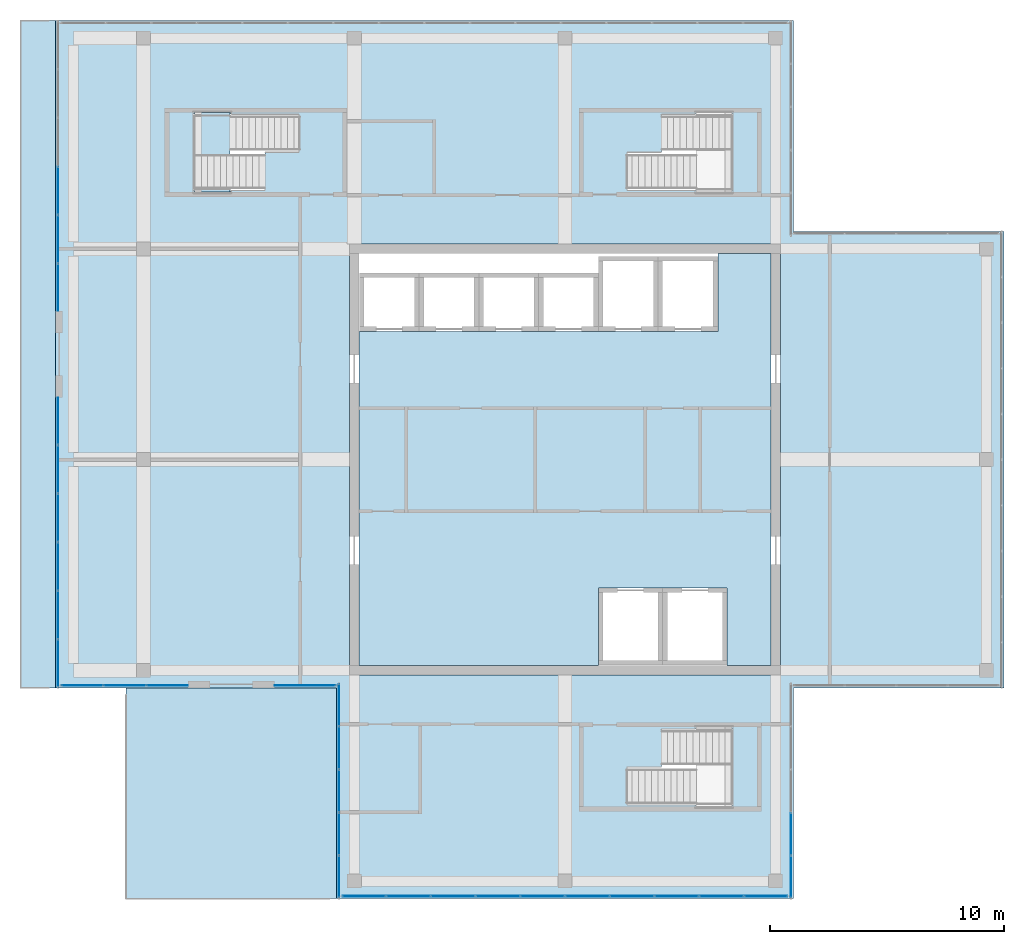
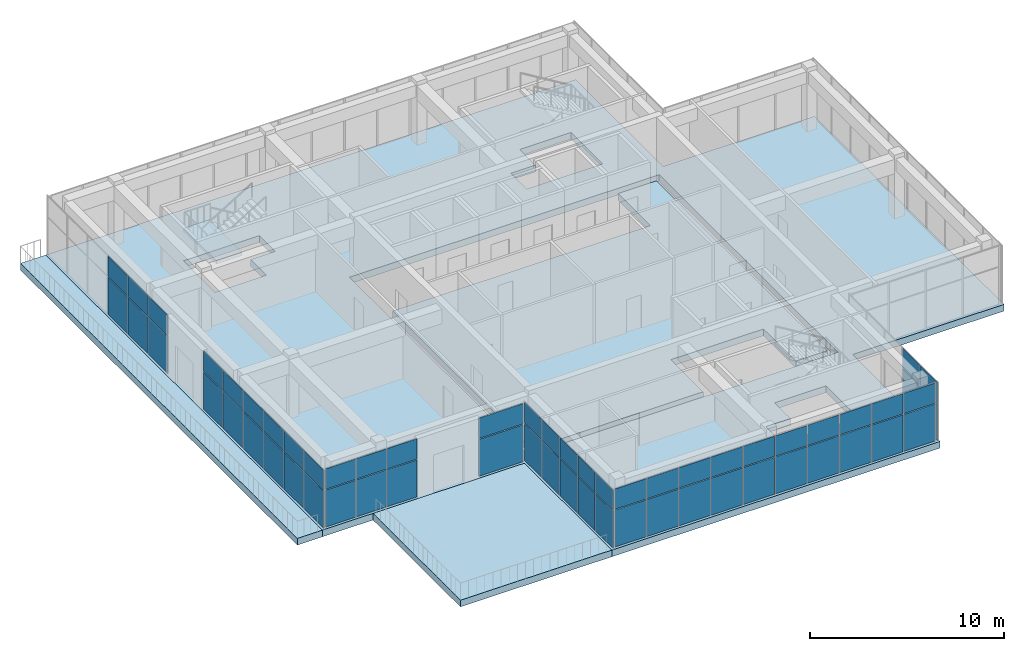
# One storey, part 26 of 32: 60 plates, 5 slabs, 8 elements without a shape of their own.
"""IFC4 building model written with IfcOpenShell, lengths in metres."""

import ifcopenshell
import ifcopenshell.guid

model = None  # the IFC model being written
_history = None  # IfcOwnerHistory: only IFC2X3 demands one
_inside = {}  # id of a spatial element -> (the spatial element, [elements in it])
_under = {}  # id of a project, library or spatial element -> (it, [spatial elements below it])
_declared = {}  # id of a project -> (the project, [libraries it declares])
_typed = {}  # id of a type object -> (the type object, [elements of that type])
_made_of = {}  # id of a material, layer set ... -> (it, [elements and type objects made of it])


def new_model(schema):
    """Start an empty IFC model of exactly this schema.

    Asked for "IFC4X3", IfcOpenShell would pick the latest addendum, in which some entities
    have other attributes; the version numbers below select the first issue.
    IFC2X3 requires an IfcOwnerHistory on every rooted entity: one is made here for all.
    """
    global model, _history
    if schema == "IFC4X3":
        model = ifcopenshell.file(schema_version=(4, 3, 0, 0))
    else:
        model = ifcopenshell.file(schema=schema)
    _inside.clear()
    _under.clear()
    _declared.clear()
    _typed.clear()
    _made_of.clear()
    _history = None
    if model.schema == "IFC2X3":
        org = make("IfcOrganization", Name="unknown")
        user = make(
            "IfcPersonAndOrganization",
            ThePerson=make("IfcPerson", FamilyName="unknown"),
            TheOrganization=org,
        )
        app = make(
            "IfcApplication",
            ApplicationDeveloper=org,
            Version="unknown",
            ApplicationFullName="unknown",
            ApplicationIdentifier="unknown",
        )
        _history = make(
            "IfcOwnerHistory",
            OwningUser=user,
            OwningApplication=app,
            ChangeAction="ADDED",
            CreationDate=0,
        )
    return model


def make(cls, **values):
    """One entity of the class cls with the attributes given. An attribute that is None is left unset."""
    return model.create_entity(
        cls, **{name: value for name, value in values.items() if value is not None}
    )


def rooted(cls, **values):
    """An entity with a GlobalId (a new one), such as an element, a storey or a relation."""
    return make(cls, GlobalId=ifcopenshell.guid.new(), OwnerHistory=_history, **values)


def si_unit(unit_type, name, prefix=None):
    """IfcSIUnit, for example si_unit("LENGTHUNIT", "METRE", prefix="MILLI")."""
    return make("IfcSIUnit", UnitType=unit_type, Prefix=prefix, Name=name)


def assignment(units):
    """IfcUnitAssignment: the units of a project."""
    return None if units is None else make("IfcUnitAssignment", Units=units)


def point(xyz):
    """IfcCartesianPoint."""
    return None if xyz is None else make("IfcCartesianPoint", Coordinates=xyz)


def direction(xyz):
    """IfcDirection."""
    return None if xyz is None else make("IfcDirection", DirectionRatios=xyz)


def frame(location, z_axis=None, x_axis=None):
    """IfcAxis2Placement3D, a coordinate frame: its origin and axes. An axis left out is left unset."""
    return make(
        "IfcAxis2Placement3D",
        Location=point(location),
        Axis=direction(z_axis),
        RefDirection=direction(x_axis),
    )


def frame_2d(location, x_axis=None):
    """IfcAxis2Placement2D, a coordinate frame in the plane: its origin and x axis."""
    return make(
        "IfcAxis2Placement2D", Location=point(location), RefDirection=direction(x_axis)
    )


def origin():
    """The frame at (0, 0, 0) with its axes left unset."""
    return frame((0.0, 0.0, 0.0))


def origin_2d():
    """The frame at (0, 0) in the plane with its x axis left unset."""
    return frame_2d((0.0, 0.0))


def place(relative_to, where):
    """IfcLocalPlacement: puts the frame where relative to a parent placement (None: the world)."""
    return make(
        "IfcLocalPlacement", PlacementRelTo=relative_to, RelativePlacement=where
    )


def context(
    kind, dimensions, precision=None, world=None, true_north=None, identifier=None
):
    """IfcGeometricRepresentationContext, for example the 3D "Model" context."""
    return make(
        "IfcGeometricRepresentationContext",
        ContextIdentifier=identifier,
        ContextType=kind,
        CoordinateSpaceDimension=dimensions,
        Precision=precision,
        WorldCoordinateSystem=world,
        TrueNorth=true_north,
    )


def subcontext(parent, identifier, kind, view, scale=None):
    """IfcGeometricRepresentationSubContext, for example "Body" below "Model"."""
    return make(
        "IfcGeometricRepresentationSubContext",
        ContextIdentifier=identifier,
        ContextType=kind,
        ParentContext=parent,
        TargetScale=scale,
        TargetView=view,
    )


def project(units=None, contexts=None):
    """IfcProject with its units and contexts."""
    return rooted(
        "IfcProject",
        Name="project",
        RepresentationContexts=contexts,
        UnitsInContext=assignment(units),
    )


def spatial(cls, under=None, at=None, **own):
    """A site, building, storey or space (cls), placed at a placement, below another one or the project."""
    s = rooted(cls, ObjectPlacement=at, **own)
    if under is not None:
        _under.setdefault(under.id(), (under, []))[1].append(s)
    return s


def polyline(points):
    """IfcPolyline through the points."""
    return make("IfcPolyline", Points=[point(p) for p in points])


def profile(cls, at=None, kind="AREA", **sizes):
    """A parametric profile (cls). Its sizes go by their IFC names, for example OverallWidth=200.0."""
    return make(cls, ProfileType=kind, Position=at, **sizes)


def rectangle(**sizes):
    """IfcRectangleProfileDef."""
    return profile("IfcRectangleProfileDef", **sizes)


def outline(outer, holes=None, kind="AREA"):
    """IfcArbitraryClosedProfileDef: a profile drawn as a closed curve; with holes, ...WithVoids."""
    if holes is None:
        return make("IfcArbitraryClosedProfileDef", ProfileType=kind, OuterCurve=outer)
    return make(
        "IfcArbitraryProfileDefWithVoids",
        ProfileType=kind,
        OuterCurve=outer,
        InnerCurves=holes,
    )


def extrude(swept, where, along, depth):
    """IfcExtrudedAreaSolid: the profile swept, set in the frame where, extruded along a direction by depth."""
    return make(
        "IfcExtrudedAreaSolid",
        SweptArea=swept,
        Position=where,
        ExtrudedDirection=direction(along),
        Depth=depth,
    )


def shape(context_of_items, identifier, shape_type, items):
    """IfcShapeRepresentation: the items that make up one representation, for example the "Body"."""
    return make(
        "IfcShapeRepresentation",
        ContextOfItems=context_of_items,
        RepresentationIdentifier=identifier,
        RepresentationType=shape_type,
        Items=items,
    )


def material(Name=None, Category=None):
    """IfcMaterial."""
    return make("IfcMaterial", Name=Name, Category=Category)


def layer(
    of_material, thickness, ventilated=None, Name=None, Category=None, Priority=None
):
    """IfcMaterialLayer: one layer of a wall or slab, of a material (None: an air gap)."""
    return make(
        "IfcMaterialLayer",
        Material=of_material,
        LayerThickness=thickness,
        IsVentilated=ventilated,
        Name=Name,
        Category=Category,
        Priority=Priority,
    )


def layer_set(layers, Name=None):
    """IfcMaterialLayerSet."""
    return make("IfcMaterialLayerSet", MaterialLayers=layers, LayerSetName=Name)


def made_of(thing, what):
    """Note that an element or type object is made of a material, layer set ...; save() writes the relation."""
    if what is not None:
        _made_of.setdefault(what.id(), (what, []))[1].append(thing)
    return thing


def type_object(cls, material=None, **own):
    """A type object (cls), such as IfcWallType, which elements share."""
    return made_of(rooted(cls, **own), material)


def element(
    cls,
    number,
    at=None,
    inside=None,
    cuts=None,
    type_object=None,
    material=None,
    context=None,
    identifier="Body",
    shape_type=None,
    held_by="IfcProductDefinitionShape",
    body=None,
    shapes=None,
    **own,
):
    """One element of the class cls, such as IfcWall. Its Tag is "e" and its number.

    at: its placement. inside: the storey or other place that contains it. cuts: it is an
    opening in that element (IfcRelVoidsElement). A single representation is given by context,
    identifier, shape_type and body (its items); several are given by shapes. held_by: the class
    of the entity that holds the representations. save() writes the other relations.
    """
    e = rooted(cls, Tag="e%d" % number, ObjectPlacement=at, **own)
    if body is not None:
        shapes = [shape(context, identifier, shape_type, body)]
    if shapes is not None:
        e.Representation = make(held_by, Representations=shapes)
    if inside is not None:
        _inside.setdefault(inside.id(), (inside, []))[1].append(e)
    if cuts is not None:
        rooted(
            "IfcRelVoidsElement", RelatingBuildingElement=cuts, RelatedOpeningElement=e
        )
    if type_object is not None:
        _typed.setdefault(type_object.id(), (type_object, []))[1].append(e)
    return made_of(e, material)


def aggregate(whole, parts):
    """IfcRelAggregates: a whole, such as a stair, and the parts it consists of."""
    return rooted("IfcRelAggregates", RelatingObject=whole, RelatedObjects=parts)


def save(model, path):
    """Write the relations noted so far, then the file.

    IfcRelAggregates (storeys below a building ...), IfcRelContainedInSpatialStructure (elements
    in a storey), IfcRelDefinesByType, IfcRelAssociatesMaterial and IfcRelDeclares: one each for
    every whole, place, type object, material and project.
    """
    for whole, parts in _under.values():
        aggregate(whole, parts)
    for where, things in _inside.values():
        rooted(
            "IfcRelContainedInSpatialStructure",
            RelatedElements=things,
            RelatingStructure=where,
        )
    for kind, things in _typed.values():
        rooted("IfcRelDefinesByType", RelatedObjects=things, RelatingType=kind)
    for what, things in _made_of.values():
        rooted("IfcRelAssociatesMaterial", RelatedObjects=things, RelatingMaterial=what)
    for by, libraries in _declared.values():
        rooted("IfcRelDeclares", RelatingContext=by, RelatedDefinitions=libraries)
    model.write(path)


model = new_model("IFC4")

# Units and contexts
model_context = context("Model", 3, precision=1e-05, world=origin(), true_north=direction((0.0, 1.0)))
body_context = subcontext(model_context, "Body", "Model", "MODEL_VIEW")
ifc_project = project(units=[si_unit("LENGTHUNIT", "METRE"), si_unit("AREAUNIT", "SQUARE_METRE"), si_unit("VOLUMEUNIT", "CUBIC_METRE"), si_unit("PLANEANGLEUNIT", "RADIAN"), si_unit("MASSUNIT", "GRAM", prefix="KILO")], contexts=[model_context])

# Site, building, storey
site_placement = place(None, origin())
site = spatial("IfcSite", under=ifc_project, at=site_placement, CompositionType="ELEMENT")
building_placement = place(site_placement, origin())
building = spatial("IfcBuilding", under=site, at=building_placement, Name="Tuart Plaza Theatre", CompositionType="ELEMENT")
storey_placement = place(building_placement, frame((0.0, 0.0, 41.5)))
storey = spatial("IfcBuildingStorey", under=building, at=storey_placement, Name="L10", CompositionType="ELEMENT", Elevation=41.5)

# Curtain wall, plates
ifc_material_1 = material(Name="Aluminium and glass", Category="aluminium")
ifc_layer_1 = layer(ifc_material_1, 0.10009765625)
ifc_layer_set_1 = layer_set([ifc_layer_1], Name="CURTAIN WALL 2000 module")
curtain_wall_type = type_object("IfcCurtainWallType", Name="CURTAIN WALL 2000 module", PredefinedType="NOTDEFINED", material=ifc_layer_set_1)
curtain_wall_1_placement = place(storey_placement, origin())
curtain_wall_1 = element("IfcCurtainWall", 1, at=curtain_wall_1_placement, inside=storey, type_object=curtain_wall_type, Name="CW100", PredefinedType="NOTDEFINED")
ifc_material_2 = material(Name="Glass", Category="glass")
ifc_layer_2 = layer(ifc_material_2, 0.028076171875)
ifc_layer_set_2 = layer_set([ifc_layer_2], Name="CURTAIN PANEL double glazed 28")
plate_type = type_object("IfcPlateType", Name="CURTAIN PANEL double glazed 28", PredefinedType="CURTAIN_PANEL", material=ifc_layer_set_2)
plate_1_placement = place(storey_placement, frame((141.64990234375, 56.1826171875, 0.0498046875), z_axis=(0.0, 0.0, 1.0), x_axis=(0.0, 1.0, 0.0)))
plate_1 = element("IfcPlate", 2, at=plate_1_placement, type_object=plate_type, Name="CW100 panel 1.1", PredefinedType="CURTAIN_PANEL", context=body_context, shape_type="SweptSolid", body=[
    extrude(rectangle(XDim=1.764892578125, YDim=0.028076171875, at=origin_2d()), origin(), (0.0, 0.0, 1.0), 2.324951171875),
])
plate_2_placement = place(storey_placement, frame((141.64990234375, 56.1826171875, 2.425048828125), z_axis=(0.0, 0.0, 1.0), x_axis=(0.0, 1.0, 0.0)))
plate_2 = element("IfcPlate", 3, at=plate_2_placement, type_object=plate_type, Name="CW100 panel 1.2", PredefinedType="CURTAIN_PANEL", context=body_context, shape_type="SweptSolid", body=[
    extrude(rectangle(XDim=1.764892578125, YDim=0.028076171875, at=origin_2d()), origin(), (0.0, 0.0, 1.0), 1.27490234375),
])
plate_3_placement = place(storey_placement, frame((141.64990234375, 58.010009765625, 0.0498046875), z_axis=(0.0, 0.0, 1.0), x_axis=(0.0, 1.0, 0.0)))
plate_3 = element("IfcPlate", 4, at=plate_3_placement, type_object=plate_type, Name="CW100 panel 2.1", PredefinedType="CURTAIN_PANEL", context=body_context, shape_type="SweptSolid", body=[
    extrude(rectangle(XDim=1.7900390625, YDim=0.028076171875, at=origin_2d()), origin(), (0.0, 0.0, 1.0), 2.324951171875),
])
plate_4_placement = place(storey_placement, frame((141.64990234375, 58.010009765625, 2.425048828125), z_axis=(0.0, 0.0, 1.0), x_axis=(0.0, 1.0, 0.0)))
plate_4 = element("IfcPlate", 5, at=plate_4_placement, type_object=plate_type, Name="CW100 panel 2.2", PredefinedType="CURTAIN_PANEL", context=body_context, shape_type="SweptSolid", body=[
    extrude(rectangle(XDim=1.7900390625, YDim=0.028076171875, at=origin_2d()), origin(), (0.0, 0.0, 1.0), 1.27490234375),
])
aggregate(curtain_wall_1, [plate_1, plate_2, plate_3, plate_4])

curtain_wall_2_placement = place(storey_placement, origin())
curtain_wall_2 = element("IfcCurtainWall", 6, at=curtain_wall_2_placement, inside=storey, type_object=curtain_wall_type, Name="CW106", PredefinedType="NOTDEFINED")
plate_5_placement = place(storey_placement, frame((110.35009765625, 85.487548828125, 0.0498046875), z_axis=(0.0, 0.0, 1.0), x_axis=(0.0, -1.0, 0.0)))
plate_5 = element("IfcPlate", 7, at=plate_5_placement, type_object=plate_type, Name="CW106 panel 4.1", PredefinedType="CURTAIN_PANEL", context=body_context, shape_type="SweptSolid", body=[
    extrude(rectangle(XDim=2.02490234375, YDim=0.028076171875, at=origin_2d()), origin(), (0.0, 0.0, 1.0), 2.324951171875),
])
plate_6_placement = place(storey_placement, frame((110.35009765625, 85.487548828125, 2.425048828125), z_axis=(0.0, 0.0, 1.0), x_axis=(0.0, -1.0, 0.0)))
plate_6 = element("IfcPlate", 8, at=plate_6_placement, type_object=plate_type, Name="CW106 panel 4.2", PredefinedType="CURTAIN_PANEL", context=body_context, shape_type="SweptSolid", body=[
    extrude(rectangle(XDim=2.02490234375, YDim=0.028076171875, at=origin_2d()), origin(), (0.0, 0.0, 1.0), 1.27490234375),
])
plate_7_placement = place(storey_placement, frame((110.35009765625, 83.41259765625, 0.0498046875), z_axis=(0.0, 0.0, 1.0), x_axis=(0.0, -1.0, 0.0)))
plate_7 = element("IfcPlate", 9, at=plate_7_placement, type_object=plate_type, Name="CW106 panel 5.1", PredefinedType="CURTAIN_PANEL", context=body_context, shape_type="SweptSolid", body=[
    extrude(rectangle(XDim=2.02490234375, YDim=0.028076171875, at=origin_2d()), origin(), (0.0, 0.0, 1.0), 2.324951171875),
])
plate_8_placement = place(storey_placement, frame((110.35009765625, 83.41259765625, 2.425048828125), z_axis=(0.0, 0.0, 1.0), x_axis=(0.0, -1.0, 0.0)))
plate_8 = element("IfcPlate", 10, at=plate_8_placement, type_object=plate_type, Name="CW106 panel 5.2", PredefinedType="CURTAIN_PANEL", context=body_context, shape_type="SweptSolid", body=[
    extrude(rectangle(XDim=2.02490234375, YDim=0.028076171875, at=origin_2d()), origin(), (0.0, 0.0, 1.0), 1.27490234375),
])
plate_9_placement = place(storey_placement, frame((110.35009765625, 81.35009765625, 0.0498046875), z_axis=(0.0, 0.0, 1.0), x_axis=(0.0, -1.0, 0.0)))
plate_9 = element("IfcPlate", 11, at=plate_9_placement, type_object=plate_type, Name="CW106 panel 6.1", PredefinedType="CURTAIN_PANEL", context=body_context, shape_type="SweptSolid", body=[
    extrude(rectangle(XDim=2.0, YDim=0.028076171875, at=origin_2d()), origin(), (0.0, 0.0, 1.0), 2.324951171875),
])
plate_10_placement = place(storey_placement, frame((110.35009765625, 81.35009765625, 2.425048828125), z_axis=(0.0, 0.0, 1.0), x_axis=(0.0, -1.0, 0.0)))
plate_10 = element("IfcPlate", 12, at=plate_10_placement, type_object=plate_type, Name="CW106 panel 6.2", PredefinedType="CURTAIN_PANEL", context=body_context, shape_type="SweptSolid", body=[
    extrude(rectangle(XDim=2.0, YDim=0.028076171875, at=origin_2d()), origin(), (0.0, 0.0, 1.0), 1.27490234375),
])
aggregate(curtain_wall_2, [plate_5, plate_6, plate_7, plate_8, plate_9, plate_10])

curtain_wall_3_placement = place(storey_placement, origin())
curtain_wall_3 = element("IfcCurtainWall", 13, at=curtain_wall_3_placement, inside=storey, type_object=curtain_wall_type, Name="CW107", PredefinedType="NOTDEFINED")
plate_11_placement = place(storey_placement, frame((110.35009765625, 75.64990234375, 0.0498046875), z_axis=(0.0, 0.0, 1.0), x_axis=(0.0, -1.0, 0.0)))
plate_11 = element("IfcPlate", 14, at=plate_11_placement, type_object=plate_type, Name="CW107 panel 1.1", PredefinedType="CURTAIN_PANEL", context=body_context, shape_type="SweptSolid", body=[
    extrude(rectangle(XDim=2.0, YDim=0.028076171875, at=origin_2d()), origin(), (0.0, 0.0, 1.0), 2.324951171875),
])
plate_12_placement = place(storey_placement, frame((110.35009765625, 75.64990234375, 2.425048828125), z_axis=(0.0, 0.0, 1.0), x_axis=(0.0, -1.0, 0.0)))
plate_12 = element("IfcPlate", 15, at=plate_12_placement, type_object=plate_type, Name="CW107 panel 1.2", PredefinedType="CURTAIN_PANEL", context=body_context, shape_type="SweptSolid", body=[
    extrude(rectangle(XDim=2.0, YDim=0.028076171875, at=origin_2d()), origin(), (0.0, 0.0, 1.0), 1.27490234375),
])
plate_13_placement = place(storey_placement, frame((110.35009765625, 73.58740234375, 0.0498046875), z_axis=(0.0, 0.0, 1.0), x_axis=(0.0, -1.0, 0.0)))
plate_13 = element("IfcPlate", 16, at=plate_13_placement, type_object=plate_type, Name="CW107 panel 2.1", PredefinedType="CURTAIN_PANEL", context=body_context, shape_type="SweptSolid", body=[
    extrude(rectangle(XDim=2.02490234375, YDim=0.028076171875, at=origin_2d()), origin(), (0.0, 0.0, 1.0), 2.324951171875),
])
plate_14_placement = place(storey_placement, frame((110.35009765625, 73.58740234375, 2.425048828125), z_axis=(0.0, 0.0, 1.0), x_axis=(0.0, -1.0, 0.0)))
plate_14 = element("IfcPlate", 17, at=plate_14_placement, type_object=plate_type, Name="CW107 panel 2.2", PredefinedType="CURTAIN_PANEL", context=body_context, shape_type="SweptSolid", body=[
    extrude(rectangle(XDim=2.02490234375, YDim=0.028076171875, at=origin_2d()), origin(), (0.0, 0.0, 1.0), 1.27490234375),
])
plate_15_placement = place(storey_placement, frame((110.35009765625, 71.512451171875, 0.0498046875), z_axis=(0.0, 0.0, 1.0), x_axis=(0.0, -1.0, 0.0)))
plate_15 = element("IfcPlate", 18, at=plate_15_placement, type_object=plate_type, Name="CW107 panel 3.1", PredefinedType="CURTAIN_PANEL", context=body_context, shape_type="SweptSolid", body=[
    extrude(rectangle(XDim=2.02490234375, YDim=0.028076171875, at=origin_2d()), origin(), (0.0, 0.0, 1.0), 2.324951171875),
])
plate_16_placement = place(storey_placement, frame((110.35009765625, 71.512451171875, 2.425048828125), z_axis=(0.0, 0.0, 1.0), x_axis=(0.0, -1.0, 0.0)))
plate_16 = element("IfcPlate", 19, at=plate_16_placement, type_object=plate_type, Name="CW107 panel 3.2", PredefinedType="CURTAIN_PANEL", context=body_context, shape_type="SweptSolid", body=[
    extrude(rectangle(XDim=2.02490234375, YDim=0.028076171875, at=origin_2d()), origin(), (0.0, 0.0, 1.0), 1.27490234375),
])
plate_17_placement = place(storey_placement, frame((110.35009765625, 69.4375, 0.0498046875), z_axis=(0.0, 0.0, 1.0), x_axis=(0.0, -1.0, 0.0)))
plate_17 = element("IfcPlate", 20, at=plate_17_placement, type_object=plate_type, Name="CW107 panel 4.1", PredefinedType="CURTAIN_PANEL", context=body_context, shape_type="SweptSolid", body=[
    extrude(rectangle(XDim=2.02490234375, YDim=0.028076171875, at=origin_2d()), origin(), (0.0, 0.0, 1.0), 2.324951171875),
])
plate_18_placement = place(storey_placement, frame((110.35009765625, 69.4375, 2.425048828125), z_axis=(0.0, 0.0, 1.0), x_axis=(0.0, -1.0, 0.0)))
plate_18 = element("IfcPlate", 21, at=plate_18_placement, type_object=plate_type, Name="CW107 panel 4.2", PredefinedType="CURTAIN_PANEL", context=body_context, shape_type="SweptSolid", body=[
    extrude(rectangle(XDim=2.02490234375, YDim=0.028076171875, at=origin_2d()), origin(), (0.0, 0.0, 1.0), 1.27490234375),
])
plate_19_placement = place(storey_placement, frame((110.35009765625, 67.362548828125, 0.0498046875), z_axis=(0.0, 0.0, 1.0), x_axis=(0.0, -1.0, 0.0)))
plate_19 = element("IfcPlate", 22, at=plate_19_placement, type_object=plate_type, Name="CW107 panel 5.1", PredefinedType="CURTAIN_PANEL", context=body_context, shape_type="SweptSolid", body=[
    extrude(rectangle(XDim=2.02490234375, YDim=0.028076171875, at=origin_2d()), origin(), (0.0, 0.0, 1.0), 2.324951171875),
])
plate_20_placement = place(storey_placement, frame((110.35009765625, 67.362548828125, 2.425048828125), z_axis=(0.0, 0.0, 1.0), x_axis=(0.0, -1.0, 0.0)))
plate_20 = element("IfcPlate", 23, at=plate_20_placement, type_object=plate_type, Name="CW107 panel 5.2", PredefinedType="CURTAIN_PANEL", context=body_context, shape_type="SweptSolid", body=[
    extrude(rectangle(XDim=2.02490234375, YDim=0.028076171875, at=origin_2d()), origin(), (0.0, 0.0, 1.0), 1.27490234375),
])
plate_21_placement = place(storey_placement, frame((110.35009765625, 65.300048828125, 0.0498046875), z_axis=(0.0, 0.0, 1.0), x_axis=(0.0, -1.0, 0.0)))
plate_21 = element("IfcPlate", 24, at=plate_21_placement, type_object=plate_type, Name="CW107 panel 6.1", PredefinedType="CURTAIN_PANEL", context=body_context, shape_type="SweptSolid", body=[
    extrude(rectangle(XDim=2.0, YDim=0.028076171875, at=origin_2d()), origin(), (0.0, 0.0, 1.0), 2.324951171875),
])
plate_22_placement = place(storey_placement, frame((110.35009765625, 65.300048828125, 2.425048828125), z_axis=(0.0, 0.0, 1.0), x_axis=(0.0, -1.0, 0.0)))
plate_22 = element("IfcPlate", 25, at=plate_22_placement, type_object=plate_type, Name="CW107 panel 6.2", PredefinedType="CURTAIN_PANEL", context=body_context, shape_type="SweptSolid", body=[
    extrude(rectangle(XDim=2.0, YDim=0.028076171875, at=origin_2d()), origin(), (0.0, 0.0, 1.0), 1.27490234375),
])
aggregate(curtain_wall_3, [plate_11, plate_12, plate_13, plate_14, plate_15, plate_16, plate_17, plate_18, plate_19, plate_20, plate_21, plate_22])

curtain_wall_4_placement = place(storey_placement, origin())
curtain_wall_4 = element("IfcCurtainWall", 26, at=curtain_wall_4_placement, inside=storey, type_object=curtain_wall_type, Name="CW108", PredefinedType="NOTDEFINED")
plate_23_placement = place(storey_placement, frame((111.379150390625, 64.35009765625, 0.0498046875), z_axis=(0.0, 0.0, 1.0), x_axis=(1.0, 0.0, 0.0)))
plate_23 = element("IfcPlate", 27, at=plate_23_placement, type_object=plate_type, Name="CW108 panel 1.1", PredefinedType="CURTAIN_PANEL", context=body_context, shape_type="SweptSolid", body=[
    extrude(rectangle(XDim=1.75830078125, YDim=0.028076171875, at=origin_2d()), origin(), (0.0, 0.0, 1.0), 2.324951171875),
])
plate_24_placement = place(storey_placement, frame((111.379150390625, 64.35009765625, 2.425048828125), z_axis=(0.0, 0.0, 1.0), x_axis=(1.0, 0.0, 0.0)))
plate_24 = element("IfcPlate", 28, at=plate_24_placement, type_object=plate_type, Name="CW108 panel 1.2", PredefinedType="CURTAIN_PANEL", context=body_context, shape_type="SweptSolid", body=[
    extrude(rectangle(XDim=1.75830078125, YDim=0.028076171875, at=origin_2d()), origin(), (0.0, 0.0, 1.0), 1.27490234375),
])
plate_25_placement = place(storey_placement, frame((113.199951171875, 64.35009765625, 0.0498046875), z_axis=(0.0, 0.0, 1.0), x_axis=(1.0, 0.0, 0.0)))
plate_25 = element("IfcPlate", 29, at=plate_25_placement, type_object=plate_type, Name="CW108 panel 2.1", PredefinedType="CURTAIN_PANEL", context=body_context, shape_type="SweptSolid", body=[
    extrude(rectangle(XDim=1.783447265625, YDim=0.028076171875, at=origin_2d()), origin(), (0.0, 0.0, 1.0), 2.324951171875),
])
plate_26_placement = place(storey_placement, frame((113.199951171875, 64.35009765625, 2.425048828125), z_axis=(0.0, 0.0, 1.0), x_axis=(1.0, 0.0, 0.0)))
plate_26 = element("IfcPlate", 30, at=plate_26_placement, type_object=plate_type, Name="CW108 panel 2.2", PredefinedType="CURTAIN_PANEL", context=body_context, shape_type="SweptSolid", body=[
    extrude(rectangle(XDim=1.783447265625, YDim=0.028076171875, at=origin_2d()), origin(), (0.0, 0.0, 1.0), 1.27490234375),
])
plate_27_placement = place(storey_placement, frame((115.020751953125, 64.35009765625, 0.0498046875), z_axis=(0.0, 0.0, 1.0), x_axis=(1.0, 0.0, 0.0)))
plate_27 = element("IfcPlate", 31, at=plate_27_placement, type_object=plate_type, Name="CW108 panel 3.1", PredefinedType="CURTAIN_PANEL", context=body_context, shape_type="SweptSolid", body=[
    extrude(rectangle(XDim=1.75830078125, YDim=0.028076171875, at=origin_2d()), origin(), (0.0, 0.0, 1.0), 2.324951171875),
])
plate_28_placement = place(storey_placement, frame((115.020751953125, 64.35009765625, 2.425048828125), z_axis=(0.0, 0.0, 1.0), x_axis=(1.0, 0.0, 0.0)))
plate_28 = element("IfcPlate", 32, at=plate_28_placement, type_object=plate_type, Name="CW108 panel 3.2", PredefinedType="CURTAIN_PANEL", context=body_context, shape_type="SweptSolid", body=[
    extrude(rectangle(XDim=1.75830078125, YDim=0.028076171875, at=origin_2d()), origin(), (0.0, 0.0, 1.0), 1.27490234375),
])
aggregate(curtain_wall_4, [plate_23, plate_24, plate_25, plate_26, plate_27, plate_28])

curtain_wall_5_placement = place(storey_placement, origin())
curtain_wall_5 = element("IfcCurtainWall", 33, at=curtain_wall_5_placement, inside=storey, type_object=curtain_wall_type, Name="CW109", PredefinedType="NOTDEFINED")
plate_29_placement = place(storey_placement, frame((120.89990234375, 64.35009765625, 0.0498046875), z_axis=(0.0, 0.0, 1.0), x_axis=(1.0, 0.0, 0.0)))
plate_29 = element("IfcPlate", 34, at=plate_29_placement, type_object=plate_type, Name="CW109 panel 1.1", PredefinedType="CURTAIN_PANEL", context=body_context, shape_type="SweptSolid", body=[
    extrude(rectangle(XDim=2.60009765625, YDim=0.028076171875, at=origin_2d()), origin(), (0.0, 0.0, 1.0), 2.324951171875),
])
plate_30_placement = place(storey_placement, frame((120.89990234375, 64.35009765625, 2.425048828125), z_axis=(0.0, 0.0, 1.0), x_axis=(1.0, 0.0, 0.0)))
plate_30 = element("IfcPlate", 35, at=plate_30_placement, type_object=plate_type, Name="CW109 panel 1.2", PredefinedType="CURTAIN_PANEL", context=body_context, shape_type="SweptSolid", body=[
    extrude(rectangle(XDim=2.60009765625, YDim=0.028076171875, at=origin_2d()), origin(), (0.0, 0.0, 1.0), 1.27490234375),
])
aggregate(curtain_wall_5, [plate_29, plate_30])

curtain_wall_6_placement = place(storey_placement, origin())
curtain_wall_6 = element("IfcCurtainWall", 36, at=curtain_wall_6_placement, inside=storey, type_object=curtain_wall_type, Name="CW110", PredefinedType="NOTDEFINED")
plate_31_placement = place(storey_placement, frame((122.35009765625, 63.517578125, 0.0498046875), z_axis=(0.0, 0.0, 1.0), x_axis=(0.0, -1.0, 0.0)))
plate_31 = element("IfcPlate", 37, at=plate_31_placement, type_object=plate_type, Name="CW110 panel 1.1", PredefinedType="CURTAIN_PANEL", context=body_context, shape_type="SweptSolid", body=[
    extrude(rectangle(XDim=1.764892578125, YDim=0.028076171875, at=origin_2d()), origin(), (0.0, 0.0, 1.0), 2.324951171875),
])
plate_32_placement = place(storey_placement, frame((122.35009765625, 63.517578125, 2.425048828125), z_axis=(0.0, 0.0, 1.0), x_axis=(0.0, -1.0, 0.0)))
plate_32 = element("IfcPlate", 38, at=plate_32_placement, type_object=plate_type, Name="CW110 panel 1.2", PredefinedType="CURTAIN_PANEL", context=body_context, shape_type="SweptSolid", body=[
    extrude(rectangle(XDim=1.764892578125, YDim=0.028076171875, at=origin_2d()), origin(), (0.0, 0.0, 1.0), 1.27490234375),
])
plate_33_placement = place(storey_placement, frame((122.35009765625, 61.68994140625, 0.0498046875), z_axis=(0.0, 0.0, 1.0), x_axis=(0.0, -1.0, 0.0)))
plate_33 = element("IfcPlate", 39, at=plate_33_placement, type_object=plate_type, Name="CW110 panel 2.1", PredefinedType="CURTAIN_PANEL", context=body_context, shape_type="SweptSolid", body=[
    extrude(rectangle(XDim=1.7900390625, YDim=0.028076171875, at=origin_2d()), origin(), (0.0, 0.0, 1.0), 2.324951171875),
])
plate_34_placement = place(storey_placement, frame((122.35009765625, 61.68994140625, 2.425048828125), z_axis=(0.0, 0.0, 1.0), x_axis=(0.0, -1.0, 0.0)))
plate_34 = element("IfcPlate", 40, at=plate_34_placement, type_object=plate_type, Name="CW110 panel 2.2", PredefinedType="CURTAIN_PANEL", context=body_context, shape_type="SweptSolid", body=[
    extrude(rectangle(XDim=1.7900390625, YDim=0.028076171875, at=origin_2d()), origin(), (0.0, 0.0, 1.0), 1.27490234375),
])
plate_35_placement = place(storey_placement, frame((122.35009765625, 59.85009765625, 0.0498046875), z_axis=(0.0, 0.0, 1.0), x_axis=(0.0, -1.0, 0.0)))
plate_35 = element("IfcPlate", 41, at=plate_35_placement, type_object=plate_type, Name="CW110 panel 3.1", PredefinedType="CURTAIN_PANEL", context=body_context, shape_type="SweptSolid", body=[
    extrude(rectangle(XDim=1.7900390625, YDim=0.028076171875, at=origin_2d()), origin(), (0.0, 0.0, 1.0), 2.324951171875),
])
plate_36_placement = place(storey_placement, frame((122.35009765625, 59.85009765625, 2.425048828125), z_axis=(0.0, 0.0, 1.0), x_axis=(0.0, -1.0, 0.0)))
plate_36 = element("IfcPlate", 42, at=plate_36_placement, type_object=plate_type, Name="CW110 panel 3.2", PredefinedType="CURTAIN_PANEL", context=body_context, shape_type="SweptSolid", body=[
    extrude(rectangle(XDim=1.7900390625, YDim=0.028076171875, at=origin_2d()), origin(), (0.0, 0.0, 1.0), 1.27490234375),
])
plate_37_placement = place(storey_placement, frame((122.35009765625, 58.010009765625, 0.0498046875), z_axis=(0.0, 0.0, 1.0), x_axis=(0.0, -1.0, 0.0)))
plate_37 = element("IfcPlate", 43, at=plate_37_placement, type_object=plate_type, Name="CW110 panel 4.1", PredefinedType="CURTAIN_PANEL", context=body_context, shape_type="SweptSolid", body=[
    extrude(rectangle(XDim=1.7900390625, YDim=0.028076171875, at=origin_2d()), origin(), (0.0, 0.0, 1.0), 2.324951171875),
])
plate_38_placement = place(storey_placement, frame((122.35009765625, 58.010009765625, 2.425048828125), z_axis=(0.0, 0.0, 1.0), x_axis=(0.0, -1.0, 0.0)))
plate_38 = element("IfcPlate", 44, at=plate_38_placement, type_object=plate_type, Name="CW110 panel 4.2", PredefinedType="CURTAIN_PANEL", context=body_context, shape_type="SweptSolid", body=[
    extrude(rectangle(XDim=1.7900390625, YDim=0.028076171875, at=origin_2d()), origin(), (0.0, 0.0, 1.0), 1.27490234375),
])
plate_39_placement = place(storey_placement, frame((122.35009765625, 56.1826171875, 0.0498046875), z_axis=(0.0, 0.0, 1.0), x_axis=(0.0, -1.0, 0.0)))
plate_39 = element("IfcPlate", 45, at=plate_39_placement, type_object=plate_type, Name="CW110 panel 5.1", PredefinedType="CURTAIN_PANEL", context=body_context, shape_type="SweptSolid", body=[
    extrude(rectangle(XDim=1.764892578125, YDim=0.028076171875, at=origin_2d()), origin(), (0.0, 0.0, 1.0), 2.324951171875),
])
plate_40_placement = place(storey_placement, frame((122.35009765625, 56.1826171875, 2.425048828125), z_axis=(0.0, 0.0, 1.0), x_axis=(0.0, -1.0, 0.0)))
plate_40 = element("IfcPlate", 46, at=plate_40_placement, type_object=plate_type, Name="CW110 panel 5.2", PredefinedType="CURTAIN_PANEL", context=body_context, shape_type="SweptSolid", body=[
    extrude(rectangle(XDim=1.764892578125, YDim=0.028076171875, at=origin_2d()), origin(), (0.0, 0.0, 1.0), 1.27490234375),
])
aggregate(curtain_wall_6, [plate_31, plate_32, plate_33, plate_34, plate_35, plate_36, plate_37, plate_38, plate_39, plate_40])

curtain_wall_7_placement = place(storey_placement, origin())
curtain_wall_7 = element("IfcCurtainWall", 47, at=curtain_wall_7_placement, inside=storey, type_object=curtain_wall_type, Name="CW111", PredefinedType="NOTDEFINED")
plate_41_placement = place(storey_placement, frame((123.41748046875, 55.35009765625, 0.0498046875), z_axis=(0.0, 0.0, 1.0), x_axis=(1.0, 0.0, 0.0)))
plate_41 = element("IfcPlate", 48, at=plate_41_placement, type_object=plate_type, Name="CW111 panel 1.1", PredefinedType="CURTAIN_PANEL", context=body_context, shape_type="SweptSolid", body=[
    extrude(rectangle(XDim=1.8349609375, YDim=0.028076171875, at=origin_2d()), origin(), (0.0, 0.0, 1.0), 2.324951171875),
])
plate_42_placement = place(storey_placement, frame((123.41748046875, 55.35009765625, 2.425048828125), z_axis=(0.0, 0.0, 1.0), x_axis=(1.0, 0.0, 0.0)))
plate_42 = element("IfcPlate", 49, at=plate_42_placement, type_object=plate_type, Name="CW111 panel 1.2", PredefinedType="CURTAIN_PANEL", context=body_context, shape_type="SweptSolid", body=[
    extrude(rectangle(XDim=1.8349609375, YDim=0.028076171875, at=origin_2d()), origin(), (0.0, 0.0, 1.0), 1.27490234375),
])
plate_43_placement = place(storey_placement, frame((125.31494140625, 55.35009765625, 0.0498046875), z_axis=(0.0, 0.0, 1.0), x_axis=(1.0, 0.0, 0.0)))
plate_43 = element("IfcPlate", 50, at=plate_43_placement, type_object=plate_type, Name="CW111 panel 2.1", PredefinedType="CURTAIN_PANEL", context=body_context, shape_type="SweptSolid", body=[
    extrude(rectangle(XDim=1.860107421875, YDim=0.028076171875, at=origin_2d()), origin(), (0.0, 0.0, 1.0), 2.324951171875),
])
plate_44_placement = place(storey_placement, frame((125.31494140625, 55.35009765625, 2.425048828125), z_axis=(0.0, 0.0, 1.0), x_axis=(1.0, 0.0, 0.0)))
plate_44 = element("IfcPlate", 51, at=plate_44_placement, type_object=plate_type, Name="CW111 panel 2.2", PredefinedType="CURTAIN_PANEL", context=body_context, shape_type="SweptSolid", body=[
    extrude(rectangle(XDim=1.860107421875, YDim=0.028076171875, at=origin_2d()), origin(), (0.0, 0.0, 1.0), 1.27490234375),
])
plate_45_placement = place(storey_placement, frame((127.22509765625, 55.35009765625, 0.0498046875), z_axis=(0.0, 0.0, 1.0), x_axis=(1.0, 0.0, 0.0)))
plate_45 = element("IfcPlate", 52, at=plate_45_placement, type_object=plate_type, Name="CW111 panel 3.1", PredefinedType="CURTAIN_PANEL", context=body_context, shape_type="SweptSolid", body=[
    extrude(rectangle(XDim=1.860107421875, YDim=0.028076171875, at=origin_2d()), origin(), (0.0, 0.0, 1.0), 2.324951171875),
])
plate_46_placement = place(storey_placement, frame((127.22509765625, 55.35009765625, 2.425048828125), z_axis=(0.0, 0.0, 1.0), x_axis=(1.0, 0.0, 0.0)))
plate_46 = element("IfcPlate", 53, at=plate_46_placement, type_object=plate_type, Name="CW111 panel 3.2", PredefinedType="CURTAIN_PANEL", context=body_context, shape_type="SweptSolid", body=[
    extrude(rectangle(XDim=1.860107421875, YDim=0.028076171875, at=origin_2d()), origin(), (0.0, 0.0, 1.0), 1.27490234375),
])
plate_47_placement = place(storey_placement, frame((129.135009765625, 55.35009765625, 0.0498046875), z_axis=(0.0, 0.0, 1.0), x_axis=(1.0, 0.0, 0.0)))
plate_47 = element("IfcPlate", 54, at=plate_47_placement, type_object=plate_type, Name="CW111 panel 4.1", PredefinedType="CURTAIN_PANEL", context=body_context, shape_type="SweptSolid", body=[
    extrude(rectangle(XDim=1.860107421875, YDim=0.028076171875, at=origin_2d()), origin(), (0.0, 0.0, 1.0), 2.324951171875),
])
plate_48_placement = place(storey_placement, frame((129.135009765625, 55.35009765625, 2.425048828125), z_axis=(0.0, 0.0, 1.0), x_axis=(1.0, 0.0, 0.0)))
plate_48 = element("IfcPlate", 55, at=plate_48_placement, type_object=plate_type, Name="CW111 panel 4.2", PredefinedType="CURTAIN_PANEL", context=body_context, shape_type="SweptSolid", body=[
    extrude(rectangle(XDim=1.860107421875, YDim=0.028076171875, at=origin_2d()), origin(), (0.0, 0.0, 1.0), 1.27490234375),
])
plate_49_placement = place(storey_placement, frame((131.044921875, 55.35009765625, 0.0498046875), z_axis=(0.0, 0.0, 1.0), x_axis=(1.0, 0.0, 0.0)))
plate_49 = element("IfcPlate", 56, at=plate_49_placement, type_object=plate_type, Name="CW111 panel 5.1", PredefinedType="CURTAIN_PANEL", context=body_context, shape_type="SweptSolid", body=[
    extrude(rectangle(XDim=1.860107421875, YDim=0.028076171875, at=origin_2d()), origin(), (0.0, 0.0, 1.0), 2.324951171875),
])
plate_50_placement = place(storey_placement, frame((131.044921875, 55.35009765625, 2.425048828125), z_axis=(0.0, 0.0, 1.0), x_axis=(1.0, 0.0, 0.0)))
plate_50 = element("IfcPlate", 57, at=plate_50_placement, type_object=plate_type, Name="CW111 panel 5.2", PredefinedType="CURTAIN_PANEL", context=body_context, shape_type="SweptSolid", body=[
    extrude(rectangle(XDim=1.860107421875, YDim=0.028076171875, at=origin_2d()), origin(), (0.0, 0.0, 1.0), 1.27490234375),
])
plate_51_placement = place(storey_placement, frame((132.955078125, 55.35009765625, 0.0498046875), z_axis=(0.0, 0.0, 1.0), x_axis=(1.0, 0.0, 0.0)))
plate_51 = element("IfcPlate", 58, at=plate_51_placement, type_object=plate_type, Name="CW111 panel 6.1", PredefinedType="CURTAIN_PANEL", context=body_context, shape_type="SweptSolid", body=[
    extrude(rectangle(XDim=1.860107421875, YDim=0.028076171875, at=origin_2d()), origin(), (0.0, 0.0, 1.0), 2.324951171875),
])
plate_52_placement = place(storey_placement, frame((132.955078125, 55.35009765625, 2.425048828125), z_axis=(0.0, 0.0, 1.0), x_axis=(1.0, 0.0, 0.0)))
plate_52 = element("IfcPlate", 59, at=plate_52_placement, type_object=plate_type, Name="CW111 panel 6.2", PredefinedType="CURTAIN_PANEL", context=body_context, shape_type="SweptSolid", body=[
    extrude(rectangle(XDim=1.860107421875, YDim=0.028076171875, at=origin_2d()), origin(), (0.0, 0.0, 1.0), 1.27490234375),
])
plate_53_placement = place(storey_placement, frame((134.864990234375, 55.35009765625, 0.0498046875), z_axis=(0.0, 0.0, 1.0), x_axis=(1.0, 0.0, 0.0)))
plate_53 = element("IfcPlate", 60, at=plate_53_placement, type_object=plate_type, Name="CW111 panel 7.1", PredefinedType="CURTAIN_PANEL", context=body_context, shape_type="SweptSolid", body=[
    extrude(rectangle(XDim=1.860107421875, YDim=0.028076171875, at=origin_2d()), origin(), (0.0, 0.0, 1.0), 2.324951171875),
])
plate_54_placement = place(storey_placement, frame((134.864990234375, 55.35009765625, 2.425048828125), z_axis=(0.0, 0.0, 1.0), x_axis=(1.0, 0.0, 0.0)))
plate_54 = element("IfcPlate", 61, at=plate_54_placement, type_object=plate_type, Name="CW111 panel 7.2", PredefinedType="CURTAIN_PANEL", context=body_context, shape_type="SweptSolid", body=[
    extrude(rectangle(XDim=1.860107421875, YDim=0.028076171875, at=origin_2d()), origin(), (0.0, 0.0, 1.0), 1.27490234375),
])
plate_55_placement = place(storey_placement, frame((136.77490234375, 55.35009765625, 0.0498046875), z_axis=(0.0, 0.0, 1.0), x_axis=(1.0, 0.0, 0.0)))
plate_55 = element("IfcPlate", 62, at=plate_55_placement, type_object=plate_type, Name="CW111 panel 8.1", PredefinedType="CURTAIN_PANEL", context=body_context, shape_type="SweptSolid", body=[
    extrude(rectangle(XDim=1.860107421875, YDim=0.028076171875, at=origin_2d()), origin(), (0.0, 0.0, 1.0), 2.324951171875),
])
plate_56_placement = place(storey_placement, frame((136.77490234375, 55.35009765625, 2.425048828125), z_axis=(0.0, 0.0, 1.0), x_axis=(1.0, 0.0, 0.0)))
plate_56 = element("IfcPlate", 63, at=plate_56_placement, type_object=plate_type, Name="CW111 panel 8.2", PredefinedType="CURTAIN_PANEL", context=body_context, shape_type="SweptSolid", body=[
    extrude(rectangle(XDim=1.860107421875, YDim=0.028076171875, at=origin_2d()), origin(), (0.0, 0.0, 1.0), 1.27490234375),
])
plate_57_placement = place(storey_placement, frame((138.68505859375, 55.35009765625, 0.0498046875), z_axis=(0.0, 0.0, 1.0), x_axis=(1.0, 0.0, 0.0)))
plate_57 = element("IfcPlate", 64, at=plate_57_placement, type_object=plate_type, Name="CW111 panel 9.1", PredefinedType="CURTAIN_PANEL", context=body_context, shape_type="SweptSolid", body=[
    extrude(rectangle(XDim=1.860107421875, YDim=0.028076171875, at=origin_2d()), origin(), (0.0, 0.0, 1.0), 2.324951171875),
])
plate_58_placement = place(storey_placement, frame((138.68505859375, 55.35009765625, 2.425048828125), z_axis=(0.0, 0.0, 1.0), x_axis=(1.0, 0.0, 0.0)))
plate_58 = element("IfcPlate", 65, at=plate_58_placement, type_object=plate_type, Name="CW111 panel 9.2", PredefinedType="CURTAIN_PANEL", context=body_context, shape_type="SweptSolid", body=[
    extrude(rectangle(XDim=1.860107421875, YDim=0.028076171875, at=origin_2d()), origin(), (0.0, 0.0, 1.0), 1.27490234375),
])
plate_59_placement = place(storey_placement, frame((140.58251953125, 55.35009765625, 0.0498046875), z_axis=(0.0, 0.0, 1.0), x_axis=(1.0, 0.0, 0.0)))
plate_59 = element("IfcPlate", 66, at=plate_59_placement, type_object=plate_type, Name="CW111 panel 10.1", PredefinedType="CURTAIN_PANEL", context=body_context, shape_type="SweptSolid", body=[
    extrude(rectangle(XDim=1.8349609375, YDim=0.028076171875, at=origin_2d()), origin(), (0.0, 0.0, 1.0), 2.324951171875),
])
plate_60_placement = place(storey_placement, frame((140.58251953125, 55.35009765625, 2.425048828125), z_axis=(0.0, 0.0, 1.0), x_axis=(1.0, 0.0, 0.0)))
plate_60 = element("IfcPlate", 67, at=plate_60_placement, type_object=plate_type, Name="CW111 panel 10.2", PredefinedType="CURTAIN_PANEL", context=body_context, shape_type="SweptSolid", body=[
    extrude(rectangle(XDim=1.8349609375, YDim=0.028076171875, at=origin_2d()), origin(), (0.0, 0.0, 1.0), 1.27490234375),
])
aggregate(curtain_wall_7, [plate_41, plate_42, plate_43, plate_44, plate_45, plate_46, plate_47, plate_48, plate_49, plate_50, plate_51, plate_52, plate_53, plate_54, plate_55, plate_56, plate_57, plate_58, plate_59, plate_60])

# Slabs
ifc_material_3 = material(Name="Concrete N40 (40 MPa)", Category="concrete")
ifc_layer_3 = layer(ifc_material_3, 0.419921875)
ifc_layer_set_3 = layer_set([ifc_layer_3], Name="SLAB Floor 420 Concrete N40 (40 MPa)")
slab_type_1 = type_object("IfcSlabType", Name="SLAB Floor 420 Concrete N40 (40 MPa)", PredefinedType="FLOOR", material=ifc_layer_set_3)
slab_1_placement = place(storey_placement, frame((0.0, 0.0, -0.419921875)))
element("IfcSlab", 68, at=slab_1_placement, inside=storey, type_object=slab_type_1, Name="S96", PredefinedType="FLOOR", context=body_context, shape_type="SweptSolid", body=[
    extrude(outline(polyline([(141.75, 92.75), (110.25, 92.75), (110.25, 64.25), (122.25, 64.25), (122.25, 55.25), (141.75, 55.25), (141.75, 64.25), (150.75, 64.25), (150.75, 83.75), (141.75, 83.75), (141.75, 92.75)]), holes=[polyline([(141.199951171875, 64.800048828125), (141.199951171875, 83.199951171875), (122.800048828125, 83.199951171875), (122.800048828125, 64.800048828125), (141.199951171875, 64.800048828125)]), polyline([(136.114990234375, 62.5), (136.114990234375, 60.875), (134.655029296875, 60.875), (134.655029296875, 59.25), (139.169921875, 59.25), (139.169921875, 62.5), (136.114990234375, 62.5)]), polyline([(139.169921875, 88.75), (136.114990234375, 88.75), (136.114990234375, 87.125), (134.655029296875, 87.125), (134.655029296875, 85.5), (139.169921875, 85.5), (139.169921875, 88.75)]), polyline([(116.1298828125, 88.75), (116.1298828125, 85.5), (119.18505859375, 85.5), (119.18505859375, 87.125), (120.64501953125, 87.125), (120.64501953125, 88.75), (116.1298828125, 88.75)])]), origin(), (0.0, 0.0, 1.0), 0.419921875),
])
slab_2_placement = place(storey_placement, frame((0.0, 0.0, -0.419921875)))
element("IfcSlab", 69, at=slab_2_placement, inside=storey, type_object=slab_type_1, Name="S97", PredefinedType="FLOOR", context=body_context, shape_type="SweptSolid", body=[
    extrude(outline(polyline([(123.199951171875, 65.199951171875), (133.425048828125, 65.199951171875), (133.425048828125, 68.52490234375), (138.925048828125, 68.52490234375), (138.925048828125, 65.199951171875), (140.800048828125, 65.199951171875), (140.800048828125, 82.800048828125), (138.52490234375, 82.800048828125), (138.52490234375, 79.47509765625), (123.199951171875, 79.47509765625), (123.199951171875, 65.199951171875)])), origin(), (0.0, 0.0, 1.0), 0.419921875),
])
slab_3_placement = place(storey_placement, frame((0.0, 0.0, -0.419921875)))
element("IfcSlab", 70, at=slab_3_placement, inside=storey, type_object=slab_type_1, Name="S98", PredefinedType="FLOOR", context=body_context, shape_type="SweptSolid", body=[
    extrude(outline(polyline([(108.75, 64.25), (110.25, 64.25), (110.25, 92.75), (108.75, 92.75), (108.75, 64.25)])), origin(), (0.0, 0.0, 1.0), 0.419921875),
])
slab_4_placement = place(storey_placement, frame((0.0, 0.0, -0.419921875)))
element("IfcSlab", 71, at=slab_4_placement, inside=storey, type_object=slab_type_1, Name="S99", PredefinedType="FLOOR", context=body_context, shape_type="SweptSolid", body=[
    extrude(outline(polyline([(122.25, 55.25), (122.25, 64.25), (113.25, 64.25), (113.25, 55.25), (122.25, 55.25)])), origin(), (0.0, 0.0, 1.0), 0.419921875),
])

# Stair, slab
ifc_material_4 = material(Name="Concrete N40 (40 MPa)", Category="concrete")
stair_type = type_object("IfcStairType", Name="STAIR half turn 1500", PredefinedType="HALF_TURN_STAIR", material=ifc_material_4)
stair_placement = place(storey_placement, origin())
stair = element("IfcStair", 72, at=stair_placement, inside=storey, type_object=stair_type, Name="SC-17", PredefinedType="HALF_TURN_STAIR")
ifc_material_5 = material(Name="Concrete N40 (40 MPa)", Category="concrete")
ifc_layer_4 = layer(ifc_material_5, 0.199951171875)
ifc_layer_set_4 = layer_set([ifc_layer_4], Name="STAIR LANDING 200")
slab_type_2 = type_object("IfcSlabType", Name="STAIR LANDING 200", PredefinedType="LANDING", material=ifc_layer_set_4)
slab_5_placement = place(storey_placement, frame((0.0, 0.0, 1.800048828125)))
slab_5 = element("IfcSlab", 73, at=slab_5_placement, type_object=slab_type_2, Name="SC-17 landing 1", PredefinedType="LANDING", context=body_context, shape_type="SweptSolid", body=[
    extrude(outline(polyline([(117.699951171875, 88.822998046875), (116.169921875, 88.822998046875), (116.169921875, 85.427001953125), (117.699951171875, 85.427001953125), (117.699951171875, 88.822998046875)])), origin(), (0.0, 0.0, 1.0), 0.199951171875),
])
aggregate(stair, [slab_5])

save(model, "model.ifc")
